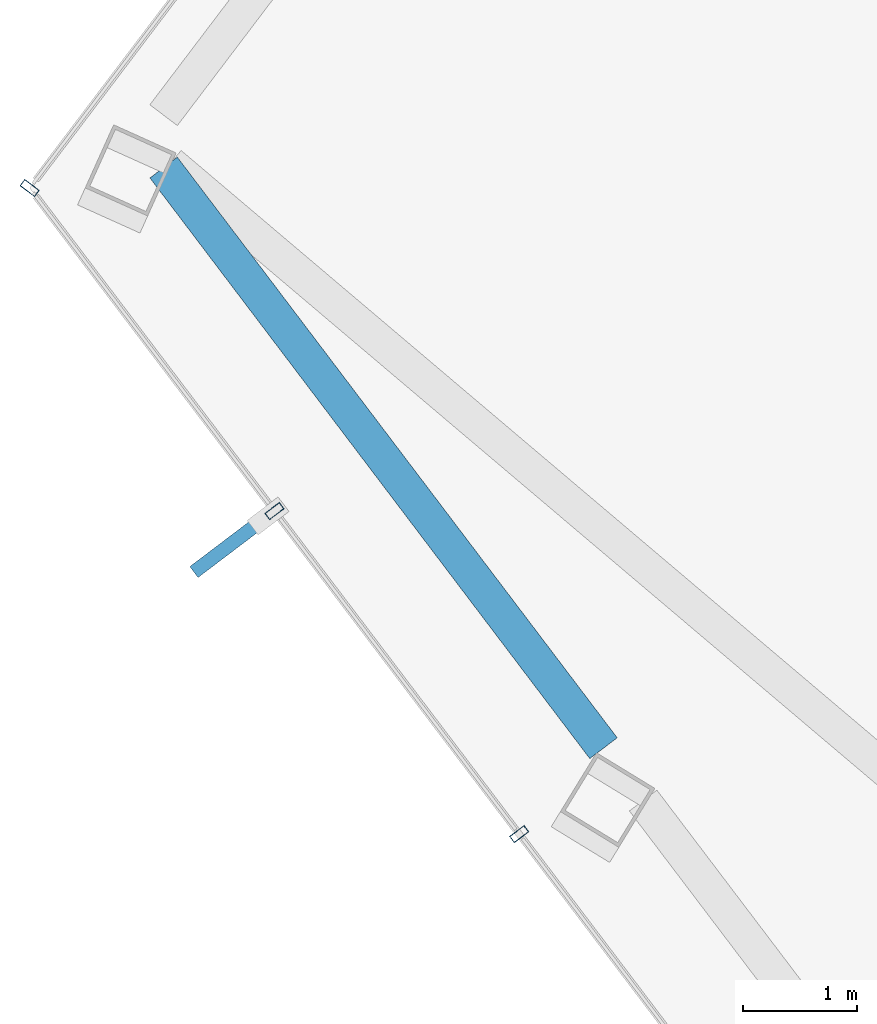
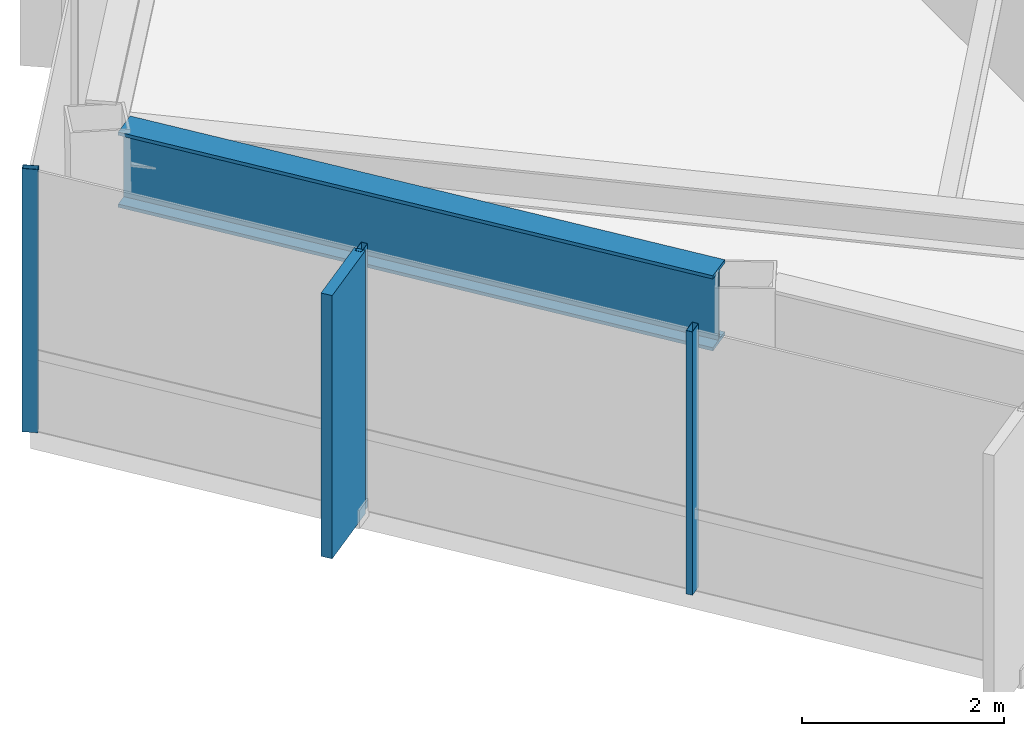
# One storey, part 10 of 27: 4 members, 1 beam, 2 elements without a shape of their own.
"""IFC4 building model written with IfcOpenShell, lengths in metres."""

from ifc_helpers import new_model, si_unit, direction, frame, origin, origin_2d, place, context, subcontext, project, spatial, rectangle, hollow_rectangle, i_section, extrude, material, layer, layer_set, material_profile, profile_set, type_object, element, aggregate, save


model = new_model("IFC4")

# Units and contexts
model_context = context("Model", 3, precision=1e-05, world=origin(), true_north=direction((0.0, 1.0)))
body_context = subcontext(model_context, "Body", "Model", "MODEL_VIEW")
ifc_project = project(units=[si_unit("LENGTHUNIT", "METRE"), si_unit("AREAUNIT", "SQUARE_METRE"), si_unit("VOLUMEUNIT", "CUBIC_METRE"), si_unit("PLANEANGLEUNIT", "RADIAN"), si_unit("MASSUNIT", "GRAM", prefix="KILO")], contexts=[model_context])

# Site, building, storey
site_placement = place(None, origin())
site = spatial("IfcSite", under=ifc_project, at=site_placement, CompositionType="ELEMENT")
building_placement = place(site_placement, origin())
building = spatial("IfcBuilding", under=site, at=building_placement, Name="Zarrinselat Tower", CompositionType="ELEMENT")
storey_placement = place(building_placement, frame((0.0, 0.0, 225.760009765625)))
storey = spatial("IfcBuildingStorey", under=building, at=storey_placement, Name="L56", CompositionType="ELEMENT", Elevation=225.760009765625)

# Beam
ifc_material_1 = material(Name="Steel S460M", Category="steel")
ifc_material_profile_1 = material_profile(ifc_material_1, i_section(OverallWidth=0.302001953125, OverallDepth=0.909912109375, WebThickness=0.02099609375, FlangeThickness=0.0400390625, at=origin_2d()), Name="HEM 900")
ifc_profile_set_1 = profile_set([ifc_material_profile_1], Name="Steel S460M")
beam_type = type_object("IfcBeamType", Name="BM-HEM900", PredefinedType="BEAM", material=ifc_profile_set_1)
beam_placement = place(storey_placement, frame((16.30078125, 40.951904296875, 2.72509765625), z_axis=(0.603865048742, -0.797086571777, 0.0), x_axis=(0.797086571777, 0.603865048742, 0.0)))
element("IfcBeam", 1, at=beam_placement, inside=storey, type_object=beam_type, Name="L56 Perimeter Spandrel Girder SP06", PredefinedType="BEAM", context=body_context, shape_type="SweptSolid", body=[
    extrude(i_section(OverallWidth=0.302001953125, OverallDepth=0.909912109375, WebThickness=0.02099609375, FlangeThickness=0.0400390625, at=origin_2d()), origin(), (0.0, 0.0, 1.0), 6.385986328125),
])

# Curtain wall, member
ifc_material_2 = material(Name="Extruded Aluminium Alloy EN AW-6063 T6", Category="aluminium")
ifc_layer = layer(ifc_material_2, 0.169921875)
ifc_layer_set = layer_set([ifc_layer], Name="Extruded Aluminium Alloy EN AW-6063 T6")
curtain_wall_type = type_object("IfcCurtainWallType", Name="CWS-RES", PredefinedType="NOTDEFINED", material=ifc_layer_set)
curtain_wall_1_placement = place(storey_placement, origin())
curtain_wall_1 = element("IfcCurtainWall", 2, at=curtain_wall_1_placement, inside=storey, type_object=curtain_wall_type, Name="L56 Unitised Curtain Wall CW-L56-E02", PredefinedType="NOTDEFINED")
ifc_material_3 = material(Name="Extruded Aluminium Alloy EN AW-6063 T6", Category="aluminium")
ifc_material_profile_2 = material_profile(ifc_material_3, hollow_rectangle(XDim=0.070068359375, YDim=0.159912109375, WallThickness=0.00390625, at=origin_2d()), Name="RHS 160x70x4")
ifc_profile_set_2 = profile_set([ifc_material_profile_2], Name="Extruded Aluminium Alloy EN AW-6063 T6")
member_type_1 = type_object("IfcMemberType", Name="MEM-CW-MUL2", PredefinedType="MULLION", material=ifc_profile_set_2)
member_1_placement = place(storey_placement, frame((15.126708984375, 40.77197265625, 0.0), z_axis=(0.0, 0.0, 1.0), x_axis=(-0.603865236347, -0.79708642965, 0.0)))
member_1 = element("IfcMember", 3, at=member_1_placement, type_object=member_type_1, Name="CW-L56-E02 Mullion 3", PredefinedType="MULLION", context=body_context, shape_type="SweptSolid", body=[
    extrude(hollow_rectangle(XDim=0.070068359375, YDim=0.159912109375, WallThickness=0.00390625, at=origin_2d()), origin(), (0.0, 0.0, 1.0), 3.179931640625),
])
aggregate(curtain_wall_1, [member_1])

# Curtain wall, members
curtain_wall_2_placement = place(storey_placement, origin())
curtain_wall_2 = element("IfcCurtainWall", 4, at=curtain_wall_2_placement, inside=storey, type_object=curtain_wall_type, Name="L56 Unitised Curtain Wall CW-L56-E03", PredefinedType="NOTDEFINED")
member_2_placement = place(storey_placement, frame((17.27197265625, 37.940185546875, 0.0), z_axis=(0.0, 0.0, 1.0), x_axis=(0.603859787908, -0.797090557307, 0.0)))
member_2 = element("IfcMember", 5, at=member_2_placement, type_object=member_type_1, Name="CW-L56-E03 Mullion 1", PredefinedType="MULLION", context=body_context, shape_type="SweptSolid", body=[
    extrude(hollow_rectangle(XDim=0.070068359375, YDim=0.159912109375, WallThickness=0.00390625, at=origin_2d()), origin(), (0.0, 0.0, 1.0), 3.179931640625),
])
member_3_placement = place(storey_placement, frame((19.41748046875, 35.108154296875, 0.0), z_axis=(0.0, 0.0, 1.0), x_axis=(0.603859787908, -0.797090557307, 0.0)))
member_3 = element("IfcMember", 6, at=member_3_placement, type_object=member_type_1, Name="CW-L56-E03 Mullion 2", PredefinedType="MULLION", context=body_context, shape_type="SweptSolid", body=[
    extrude(hollow_rectangle(XDim=0.070068359375, YDim=0.159912109375, WallThickness=0.00390625, at=origin_2d()), origin(), (0.0, 0.0, 1.0), 3.179931640625),
])
ifc_material_4 = material(Name="Honed Cream Travertine Stone", Category="masonry")
ifc_material_profile_3 = material_profile(ifc_material_4, rectangle(XDim=0.1201171875, YDim=0.85009765625, at=origin_2d()), Name="FIN 850x120")
ifc_profile_set_3 = profile_set([ifc_material_profile_3], Name="Honed Cream Travertine Stone")
member_type_2 = type_object("IfcMemberType", Name="MEM-STONE-FIN", PredefinedType="USERDEFINED", material=ifc_profile_set_3)
member_4_placement = place(storey_placement, frame((16.9052734375, 37.662353515625, 0.0), z_axis=(0.0, 0.0, 1.0), x_axis=(-0.603859787908, 0.797090557307, 0.0)))
member_4 = element("IfcMember", 7, at=member_4_placement, type_object=member_type_2, Name="L56 Stone Shading Fin CW-L56-E03-01", ObjectType="FIN", PredefinedType="USERDEFINED", context=body_context, shape_type="SweptSolid", body=[
    extrude(rectangle(XDim=0.1201171875, YDim=0.85009765625, at=origin_2d()), origin(), (0.0, 0.0, 1.0), 3.179931640625),
])
aggregate(curtain_wall_2, [member_2, member_4, member_3])

save(model, "model.ifc")
